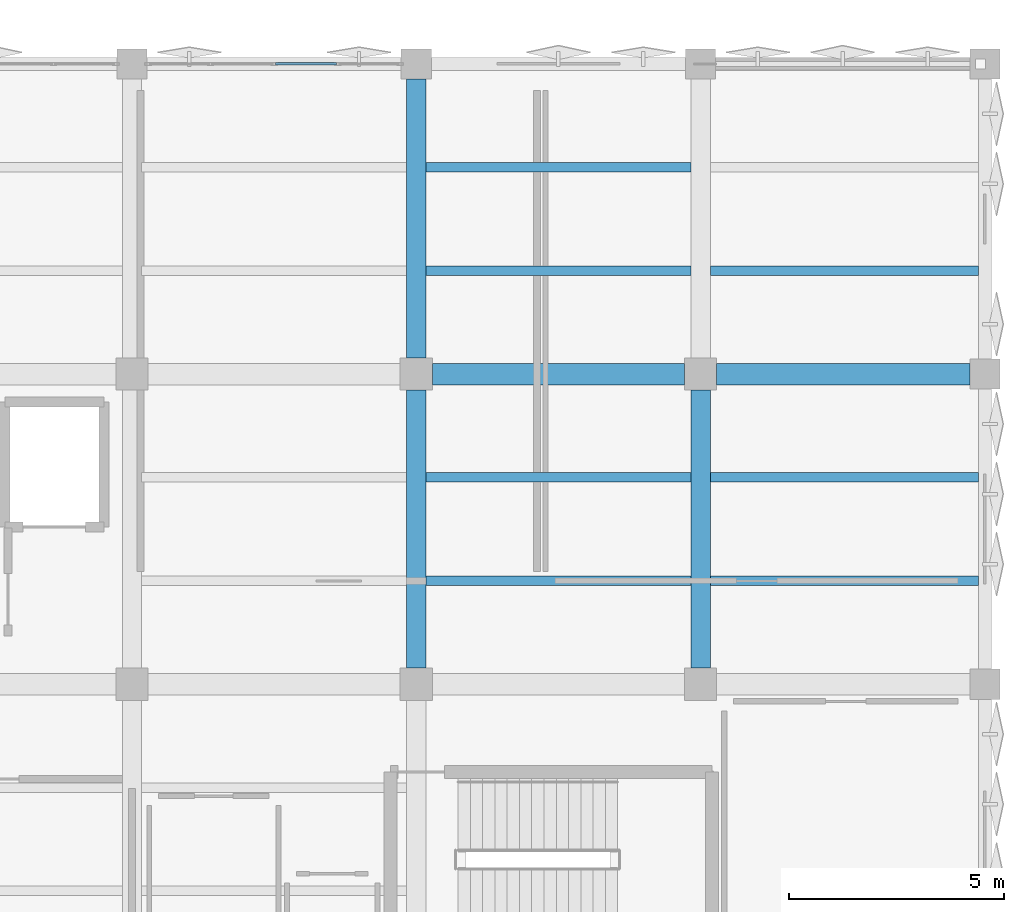
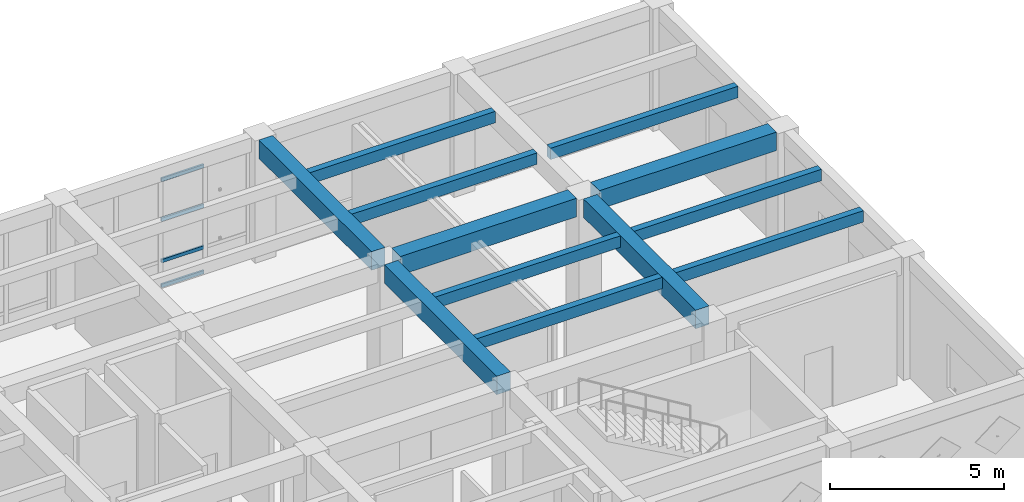
# One storey, part 49 of 80: 12 beams, 4 members, 1 element without a shape of its own.
"""IFC4 building model written with IfcOpenShell, lengths in metres."""

from ifc_helpers import new_model, si_unit, direction, frame, origin, origin_2d, place, context, subcontext, project, spatial, rectangle, hollow_rectangle, extrude, material, layer, layer_set, material_profile, profile_set, type_object, element, aggregate, save


model = new_model("IFC4")

# Units and contexts
model_context = context("Model", 3, precision=1e-05, world=origin(), true_north=direction((0.0, 1.0)))
body_context = subcontext(model_context, "Body", "Model", "MODEL_VIEW")
ifc_project = project(units=[si_unit("LENGTHUNIT", "METRE"), si_unit("AREAUNIT", "SQUARE_METRE"), si_unit("VOLUMEUNIT", "CUBIC_METRE"), si_unit("PLANEANGLEUNIT", "RADIAN"), si_unit("MASSUNIT", "GRAM", prefix="KILO")], contexts=[model_context])

# Site, building, storey
site_placement = place(None, origin())
site = spatial("IfcSite", under=ifc_project, at=site_placement, CompositionType="ELEMENT")
building_placement = place(site_placement, origin())
building = spatial("IfcBuilding", under=site, at=building_placement, Name="Kharisveld Research Institute", CompositionType="ELEMENT")
storey_placement = place(building_placement, frame((0.0, 0.0, 5.10009765625)))
storey = spatial("IfcBuildingStorey", under=building, at=storey_placement, Name="L01", CompositionType="ELEMENT", Elevation=5.10009765625)

# Beams
ifc_material_1 = material(Name="Concrete C40/50", Category="concrete")
ifc_material_profile_1 = material_profile(ifc_material_1, rectangle(XDim=0.449951171875, YDim=0.64990234375, at=origin_2d()))
ifc_profile_set_1 = profile_set([ifc_material_profile_1], Name="Concrete C40/50")
beam_type_1 = type_object("IfcBeamType", Name="BM_RC_450x650", PredefinedType="BEAM", material=ifc_profile_set_1)
beam_1_placement = place(storey_placement, frame((147.60009765625, 46.77490234375, 3.96484375), z_axis=(0.0, 1.0, 0.0), x_axis=(-1.0, 0.0, 0.0)))
element("IfcBeam", 1, at=beam_1_placement, inside=storey, type_object=beam_type_1, Name="BM:V2:L01:V5_1", PredefinedType="BEAM", context=body_context, shape_type="SweptSolid", body=[
    extrude(rectangle(XDim=0.449951171875, YDim=0.64990234375, at=origin_2d()), origin(), (0.0, 0.0, 1.0), 6.4501953125),
])
beam_2_placement = place(storey_placement, frame((147.60009765625, 53.97509765625, 3.96484375), z_axis=(0.0, 1.0, 0.0), x_axis=(-1.0, 0.0, 0.0)))
element("IfcBeam", 2, at=beam_2_placement, inside=storey, type_object=beam_type_1, Name="BM:V2:L01:V5_2", PredefinedType="BEAM", context=body_context, shape_type="SweptSolid", body=[
    extrude(rectangle(XDim=0.449951171875, YDim=0.64990234375, at=origin_2d()), origin(), (0.0, 0.0, 1.0), 6.474853515625),
])
beam_3_placement = place(storey_placement, frame((154.199951171875, 46.77490234375, 3.96484375), z_axis=(0.0, 1.0, 0.0), x_axis=(-1.0, 0.0, 0.0)))
element("IfcBeam", 3, at=beam_3_placement, inside=storey, type_object=beam_type_1, Name="BM:V2:L01:V6_1", PredefinedType="BEAM", context=body_context, shape_type="SweptSolid", body=[
    extrude(rectangle(XDim=0.449951171875, YDim=0.64990234375, at=origin_2d()), origin(), (0.0, 0.0, 1.0), 6.4501953125),
])
ifc_material_2 = material(Name="Concrete C40/50", Category="concrete")
ifc_material_profile_2 = material_profile(ifc_material_2, rectangle(XDim=0.5, YDim=0.64990234375, at=origin_2d()))
ifc_profile_set_2 = profile_set([ifc_material_profile_2], Name="Concrete C40/50")
beam_type_2 = type_object("IfcBeamType", Name="BM_RC_500x650", PredefinedType="BEAM", material=ifc_profile_set_2)
beam_4_placement = place(storey_placement, frame((147.97509765625, 53.60009765625, 3.96484375), z_axis=(1.0, 0.0, 0.0), x_axis=(0.0, 1.0, 0.0)))
element("IfcBeam", 4, at=beam_4_placement, inside=storey, type_object=beam_type_2, Name="BM:V2:L01:U5_2", PredefinedType="BEAM", context=body_context, shape_type="SweptSolid", body=[
    extrude(rectangle(XDim=0.5, YDim=0.64990234375, at=origin_2d()), origin(), (0.0, 0.0, 1.0), 5.849853515625),
])
beam_5_placement = place(storey_placement, frame((154.574951171875, 53.60009765625, 3.96484375), z_axis=(1.0, 0.0, 0.0), x_axis=(0.0, 1.0, 0.0)))
element("IfcBeam", 5, at=beam_5_placement, inside=storey, type_object=beam_type_2, Name="BM:V2:L01:U6_2", PredefinedType="BEAM", context=body_context, shape_type="SweptSolid", body=[
    extrude(rectangle(XDim=0.5, YDim=0.64990234375, at=origin_2d()), origin(), (0.0, 0.0, 1.0), 5.875),
])

# Curtain wall, members
ifc_material_3 = material(Name="Thermally Broken Aluminium Curtain Wall", Category="aluminium")
ifc_layer = layer(ifc_material_3, 0.159912109375)
ifc_layer_set = layer_set([ifc_layer], Name="CW_SYS_04")
curtain_wall_type = type_object("IfcCurtainWallType", Name="CW_SYS_04", PredefinedType="NOTDEFINED", material=ifc_layer_set)
curtain_wall_placement = place(storey_placement, origin())
curtain_wall = element("IfcCurtainWall", 6, at=curtain_wall_placement, inside=storey, type_object=curtain_wall_type, Name="CW:V2:L01:N4", PredefinedType="NOTDEFINED")
ifc_material_4 = material(Name="Anodised Aluminium AW-6063-T6", Category="aluminium")
ifc_material_profile_3 = material_profile(ifc_material_4, hollow_rectangle(XDim=0.06005859375, YDim=0.1201171875, WallThickness=0.00390625, at=origin_2d()))
ifc_profile_set_3 = profile_set([ifc_material_profile_3], Name="Anodised Aluminium AW-6063-T6")
member_type = type_object("IfcMemberType", Name="CW_TRN_120", PredefinedType="USERDEFINED", material=ifc_profile_set_3)
member_1_placement = place(storey_placement, frame((144.33251953125, 60.800048828125, 0.02978515625), z_axis=(1.0, 0.0, 0.0), x_axis=(0.0, 1.0, 0.0)))
member_1 = element("IfcMember", 7, at=member_1_placement, type_object=member_type, Name="CW-04 transom 3.1", ObjectType="TRANSOM", PredefinedType="USERDEFINED", context=body_context, shape_type="SweptSolid", body=[
    extrude(hollow_rectangle(XDim=0.06005859375, YDim=0.1201171875, WallThickness=0.00390625, at=origin_2d()), origin(), (0.0, 0.0, 1.0), 1.41259765625),
])
member_2_placement = place(storey_placement, frame((144.33251953125, 60.800048828125, 0.89990234375), z_axis=(1.0, 0.0, 0.0), x_axis=(0.0, 1.0, 0.0)))
member_2 = element("IfcMember", 8, at=member_2_placement, type_object=member_type, Name="CW-04 transom 3.2", ObjectType="TRANSOM", PredefinedType="USERDEFINED", context=body_context, shape_type="SweptSolid", body=[
    extrude(hollow_rectangle(XDim=0.06005859375, YDim=0.1201171875, WallThickness=0.00390625, at=origin_2d()), origin(), (0.0, 0.0, 1.0), 1.41259765625),
])
member_3_placement = place(storey_placement, frame((144.33251953125, 60.800048828125, 2.349853515625), z_axis=(1.0, 0.0, 0.0), x_axis=(0.0, 1.0, 0.0)))
member_3 = element("IfcMember", 9, at=member_3_placement, type_object=member_type, Name="CW-04 transom 3.3", ObjectType="TRANSOM", PredefinedType="USERDEFINED", context=body_context, shape_type="SweptSolid", body=[
    extrude(hollow_rectangle(XDim=0.06005859375, YDim=0.1201171875, WallThickness=0.00390625, at=origin_2d()), origin(), (0.0, 0.0, 1.0), 1.41259765625),
])
member_4_placement = place(storey_placement, frame((144.33251953125, 60.800048828125, 3.75), z_axis=(1.0, 0.0, 0.0), x_axis=(0.0, 1.0, 0.0)))
member_4 = element("IfcMember", 10, at=member_4_placement, type_object=member_type, Name="CW-04 transom 3.4", ObjectType="TRANSOM", PredefinedType="USERDEFINED", context=body_context, shape_type="SweptSolid", body=[
    extrude(hollow_rectangle(XDim=0.06005859375, YDim=0.1201171875, WallThickness=0.00390625, at=origin_2d()), origin(), (0.0, 0.0, 1.0), 1.41259765625),
])
aggregate(curtain_wall, [member_1, member_2, member_3, member_4])

# Beams
ifc_material_5 = material(Name="Concrete C40/50", Category="concrete")
ifc_material_profile_4 = material_profile(ifc_material_5, rectangle(XDim=0.219970703125, YDim=0.39990234375, at=origin_2d()))
ifc_profile_set_4 = profile_set([ifc_material_profile_4], Name="Concrete C40/50")
beam_type_3 = type_object("IfcBeamType", Name="WB_RC_220x400", PredefinedType="JOIST", material=ifc_profile_set_4)
for number, where, z_axis, x_axis, name in (
    (11, (147.824951171875, 48.800048828125, 4.08984375), (1.0, 0.0, 0.0), (0.0, 1.0, 0.0), "BM:V2:L01:J_5_1_R1"),
    (12, (147.824951171875, 51.199951171875, 4.08984375), (1.0, 0.0, 0.0), (0.0, 1.0, 0.0), "BM:V2:L01:J_5_1_R2"),
    (13, (147.824951171875, 56.0, 4.08984375), (1.0, 0.0, 0.0), (0.0, 1.0, 0.0), "BM:V2:L01:J_5_2_R1"),
    (14, (147.824951171875, 58.39990234375, 4.08984375), (1.0, 0.0, 0.0), (0.0, 1.0, 0.0), "BM:V2:L01:J_5_2_R2"),
):
    element("IfcBeam", number, at=place(storey_placement, frame(where, z_axis=z_axis, x_axis=x_axis)), inside=storey, type_object=beam_type_3, Name=name, PredefinedType="JOIST", context=body_context, shape_type="SweptSolid", body=[
        extrude(rectangle(XDim=0.219970703125, YDim=0.39990234375, at=origin_2d()), origin(), (0.0, 0.0, 1.0), 6.150146484375),
    ])
for number, where, z_axis, x_axis, name in (
    (15, (154.425048828125, 48.800048828125, 4.08984375), (1.0, 0.0, 0.0), (0.0, 1.0, 0.0), "BM:V2:L01:J_6_1_R1"),
    (16, (154.425048828125, 51.199951171875, 4.08984375), (1.0, 0.0, 0.0), (0.0, 1.0, 0.0), "BM:V2:L01:J_6_1_R2"),
    (17, (154.425048828125, 56.0, 4.08984375), (1.0, 0.0, 0.0), (0.0, 1.0, 0.0), "BM:V2:L01:J_6_2_R1"),
):
    element("IfcBeam", number, at=place(storey_placement, frame(where, z_axis=z_axis, x_axis=x_axis)), inside=storey, type_object=beam_type_3, Name=name, PredefinedType="JOIST", context=body_context, shape_type="SweptSolid", body=[
        extrude(rectangle(XDim=0.219970703125, YDim=0.39990234375, at=origin_2d()), origin(), (0.0, 0.0, 1.0), 6.224853515625),
    ])

save(model, "model.ifc")
